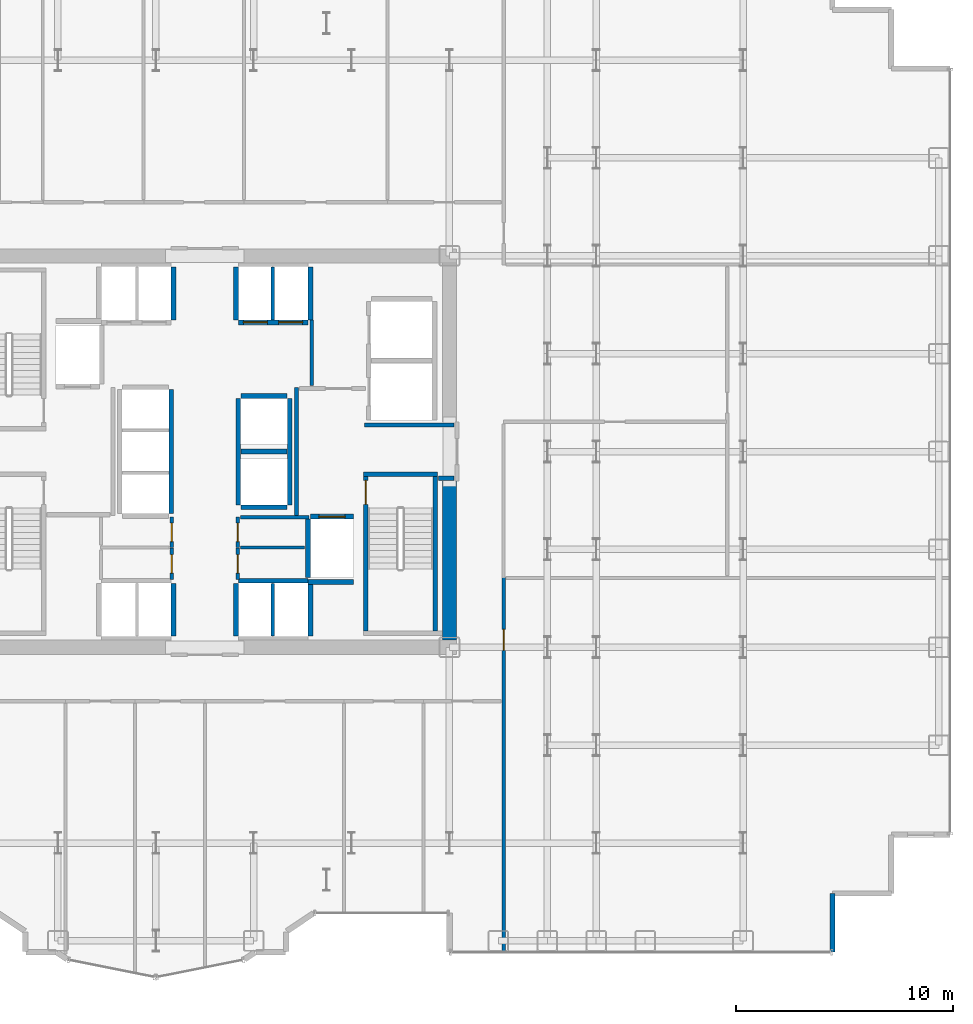
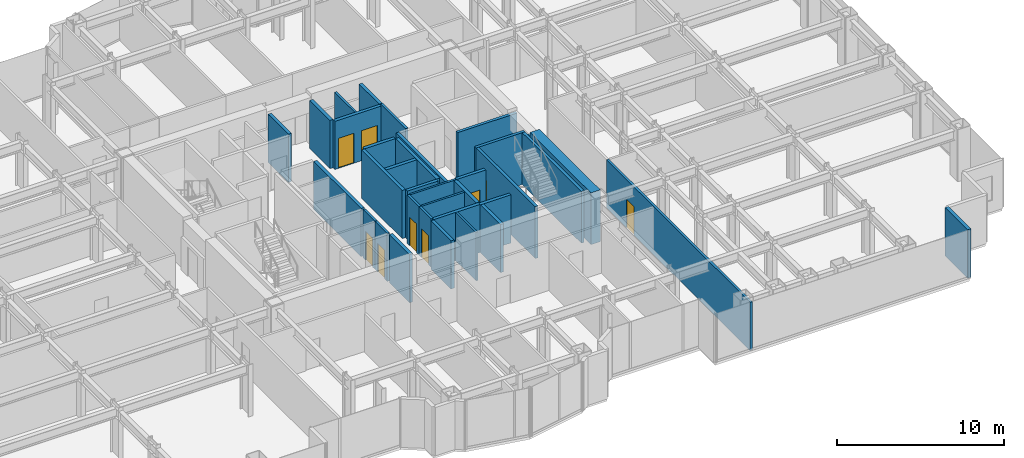
# One storey, part 22 of 25: 35 walls, 9 doors, 9 openings.
"""IFC4 building model written with IfcOpenShell, lengths in metres."""

from ifc_helpers import new_model, si_unit, direction, frame, frame_2d, origin, place, context, subcontext, project, spatial, rectangle, extrude, source, transform, mapped, material, layer, layer_set, type_object, element, fill, save


model = new_model("IFC4")

# Units and contexts
model_context = context("Model", 3, precision=1e-05, world=origin(), true_north=direction((0.0, 1.0)))
body_context = subcontext(model_context, "Body", "Model", "MODEL_VIEW")
ifc_project = project(units=[si_unit("LENGTHUNIT", "METRE"), si_unit("AREAUNIT", "SQUARE_METRE"), si_unit("VOLUMEUNIT", "CUBIC_METRE"), si_unit("PLANEANGLEUNIT", "RADIAN"), si_unit("MASSUNIT", "GRAM", prefix="KILO")], contexts=[model_context])

# Site, building, storey
site_placement = place(None, origin())
site = spatial("IfcSite", under=ifc_project, at=site_placement, CompositionType="ELEMENT")
building_placement = place(site_placement, origin())
building = spatial("IfcBuilding", under=site, at=building_placement, Name="Nefas-Gora Pilgrimage Tower", CompositionType="ELEMENT")
storey_placement = place(building_placement, frame((0.0, 0.0, 71.0)))
storey = spatial("IfcBuildingStorey", under=building, at=storey_placement, Name="L16", CompositionType="ELEMENT", Elevation=71.0)

# Walls
ifc_material_1 = material(Name="Concrete C60/75", Category="concrete")
ifc_layer_1 = layer(ifc_material_1, 0.64990234375)
ifc_layer_set_1 = layer_set([ifc_layer_1], Name="Concrete C60/75")
wall_type_1 = type_object("IfcWallType", Name="SW-CORE-650", PredefinedType="SHEAR", material=ifc_layer_set_1)
shared_shape_1 = source(origin(), body_context, "Body", "SweptSolid", [
    extrude(rectangle(XDim=7.324951171875, YDim=0.64990234375, at=frame_2d((3.66259765625, 0.0))), origin(), (0.0, 0.0, 1.0), 3.800048828125),
])
wall_1_placement = place(storey_placement, frame((11.25, -8.675048828125, 0.0), z_axis=(0.0, 0.0, 1.0), x_axis=(0.0, 1.0, 0.0)))
element("IfcWall", 1, at=wall_1_placement, inside=storey, type_object=wall_type_1, Name="L16 Core Shear Wall E-South", PredefinedType="SHEAR", context=body_context, shape_type="MappedRepresentation", body=[
    mapped(shared_shape_1, transform((0.0, 0.0, 0.0), x_axis=(1.0, 0.0, 0.0), y_axis=(0.0, 1.0, 0.0), z_axis=(0.0, 0.0, 1.0), scale=1.0)),
])
ifc_material_2 = material(Name="Precast concrete C45/55", Category="concrete")
ifc_layer_2 = layer(ifc_material_2, 0.239990234375)
ifc_layer_set_2 = layer_set([ifc_layer_2], Name="Precast concrete C45/55")
wall_type_2 = type_object("IfcWallType", Name="EW-SERR-240", PredefinedType="SHEAR", material=ifc_layer_set_2)
shared_shape_2 = source(origin(), body_context, "Body", "SweptSolid", [
    extrude(rectangle(XDim=2.699951171875, YDim=0.239990234375, at=frame_2d((1.35009765625, 0.0))), origin(), (0.0, 0.0, 1.0), 3.550048828125),
])
wall_2_placement = place(storey_placement, frame((28.8701171875, -23.02001953125, 0.0), z_axis=(0.0, 0.0, 1.0), x_axis=(0.0, 1.0, 0.0)))
element("IfcWall", 2, at=wall_2_placement, inside=storey, type_object=wall_type_2, Name="L16 Serrated Corner Shear Pier Wall 2", PredefinedType="SHEAR", context=body_context, shape_type="MappedRepresentation", body=[
    mapped(shared_shape_2, transform((0.0, 0.0, 0.0), x_axis=(1.0, 0.0, 0.0), y_axis=(0.0, 1.0, 0.0), z_axis=(0.0, 0.0, 1.0), scale=1.0)),
])
ifc_material_3 = material(Name="Concrete C45/55", Category="concrete")
ifc_layer_3 = layer(ifc_material_3, 0.199951171875)
ifc_layer_set_3 = layer_set([ifc_layer_3], Name="Concrete C45/55")
wall_type_3 = type_object("IfcWallType", Name="IW-STAIR-200", PredefinedType="SOLIDWALL", material=ifc_layer_set_3)
shared_shape_3 = source(origin(), body_context, "Body", "SweptSolid", [
    extrude(rectangle(XDim=3.39990234375, YDim=0.199951171875, at=frame_2d((1.699951171875, 0.0))), origin(), (0.0, 0.0, 1.0), 3.800048828125),
])
wall_3_placement = place(storey_placement, frame((7.300048828125, -1.050048828125, 0.0), z_axis=(0.0, 0.0, 1.0), x_axis=(1.0, 0.0, 0.0)))
element("IfcWall", 3, at=wall_3_placement, inside=storey, type_object=wall_type_3, Name="L16 Stairwell Shear Wall ST-02-near", PredefinedType="SOLIDWALL", context=body_context, shape_type="MappedRepresentation", body=[
    mapped(shared_shape_3, transform((0.0, 0.0, 0.0), x_axis=(1.0, 0.0, 0.0), y_axis=(0.0, 1.0, 0.0), z_axis=(0.0, 0.0, 1.0), scale=1.0)),
])

# Wall, opening, door
shared_shape_4 = source(origin(), body_context, "Body", "SweptSolid", [
    extrude(rectangle(XDim=7.10009765625, YDim=0.199951171875, at=frame_2d((3.550048828125, 0.0))), origin(), (0.0, 0.0, 1.0), 3.800048828125),
])
wall_4_placement = place(storey_placement, frame((7.39990234375, -1.14990234375, 0.0), z_axis=(0.0, 0.0, 1.0), x_axis=(0.0, -1.0, 0.0)))
wall_4 = element("IfcWall", 4, at=wall_4_placement, inside=storey, type_object=wall_type_3, Name="L16 Stairwell Shear Wall ST-02-left", PredefinedType="SOLIDWALL", context=body_context, shape_type="MappedRepresentation", body=[
    mapped(shared_shape_4, transform((0.0, 0.0, 0.0), x_axis=(1.0, 0.0, 0.0), y_axis=(0.0, 1.0, 0.0), z_axis=(0.0, 0.0, 1.0), scale=1.0)),
])
opening_1_placement = place(wall_4_placement, frame((0.179931640625, 0.0, 0.0)))
opening_1 = element("IfcOpeningElement", 5, at=opening_1_placement, cuts=wall_4, Name="Opening ID-ST1", PredefinedType="OPENING", context=body_context, shape_type="SweptSolid", body=[
    extrude(rectangle(XDim=1.10009765625, YDim=2.14990234375, at=frame_2d((0.550048828125, 1.074951171875))), frame((0.0, 0.10986328125, 0.0), z_axis=(0.0, -1.0, 0.0), x_axis=(1.0, 0.0, 0.0)), (0.0, 0.0, 1.0), 0.219970703125),
])
ifc_material_4 = material(Name="Painted galvanised steel fire stair door", Category="steel")
door_type_1 = type_object("IfcDoorType", Name="DR-INT-STAIR-1100", OperationType="NOTDEFINED", PredefinedType="DOOR", material=ifc_material_4)
shared_shape_5 = source(origin(), body_context, "Body", "SweptSolid", [
    extrude(rectangle(XDim=1.10009765625, YDim=2.14990234375, at=frame_2d((0.550048828125, 1.074951171875))), frame((0.0, 0.02490234375, 0.0), z_axis=(0.0, -1.0, 0.0), x_axis=(1.0, 0.0, 0.0)), (0.0, 0.0, 1.0), 0.050048828125),
])
door_1_placement = place(opening_1_placement, origin())
door_1 = element("IfcDoor", 6, at=door_1_placement, inside=storey, type_object=door_type_1, Name="L16 Protected Exit Stair Door ST-02", OperationType="SINGLE_SWING_LEFT", OverallHeight=2.14990234375, OverallWidth=1.10009765625, PredefinedType="DOOR", context=body_context, shape_type="MappedRepresentation", body=[
    mapped(shared_shape_5, transform((0.0, 0.0, 0.0), x_axis=(1.0, 0.0, 0.0), y_axis=(0.0, 1.0, 0.0), z_axis=(0.0, 0.0, 1.0), scale=1.0)),
])
fill(opening_1, door_1)

# Wall
wall_5_placement = place(storey_placement, frame((10.60009765625, -1.14990234375, 0.0), z_axis=(0.0, 0.0, 1.0), x_axis=(0.0, -1.0, 0.0)))
element("IfcWall", 7, at=wall_5_placement, inside=storey, type_object=wall_type_3, Name="L16 Stairwell Shear Wall ST-02-right", PredefinedType="SOLIDWALL", context=body_context, shape_type="MappedRepresentation", body=[
    mapped(shared_shape_4, transform((0.0, 0.0, 0.0), x_axis=(1.0, 0.0, 0.0), y_axis=(0.0, 1.0, 0.0), z_axis=(0.0, 0.0, 1.0), scale=1.0)),
])

# Wall, opening, door
ifc_material_5 = material(Name="Concrete C40/50", Category="concrete")
ifc_layer_4 = layer(ifc_material_5, 0.219970703125)
ifc_layer_set_4 = layer_set([ifc_layer_4], Name="Concrete C40/50")
wall_type_4 = type_object("IfcWallType", Name="IW-SHAFT-220", PredefinedType="SOLIDWALL", material=ifc_layer_set_4)
shared_shape_6 = source(origin(), body_context, "Body", "SweptSolid", [
    extrude(rectangle(XDim=2.0, YDim=0.219970703125, at=frame_2d((1.0, 0.0))), origin(), (0.0, 0.0, 1.0), 3.534912109375),
])
wall_6_placement = place(storey_placement, frame((6.85009765625, -2.989990234375, 0.0), z_axis=(0.0, 0.0, 1.0), x_axis=(-1.0, 0.0, 0.0)))
wall_6 = element("IfcWall", 8, at=wall_6_placement, inside=storey, type_object=wall_type_4, Name="L16 Hoistway Wall FFL-02-N", PredefinedType="SOLIDWALL", context=body_context, shape_type="MappedRepresentation", body=[
    mapped(shared_shape_6, transform((0.0, 0.0, 0.0), x_axis=(1.0, 0.0, 0.0), y_axis=(0.0, 1.0, 0.0), z_axis=(0.0, 0.0, 1.0), scale=1.0)),
])
opening_2_placement = place(wall_6_placement, frame((0.39990234375, 0.0, 0.0)))
opening_2 = element("IfcOpeningElement", 9, at=opening_2_placement, cuts=wall_6, Name="Opening LD-FF", PredefinedType="OPENING", context=body_context, shape_type="SweptSolid", body=[
    extrude(rectangle(XDim=1.199951171875, YDim=2.199951171875, at=frame_2d((0.60009765625, 1.10009765625))), frame((0.0, 0.119873046875, 0.0), z_axis=(0.0, -1.0, 0.0), x_axis=(1.0, 0.0, 0.0)), (0.0, 0.0, 1.0), 0.239990234375),
])
ifc_material_6 = material(Name="Fire-service sliding lift landing door")
door_type_2 = type_object("IfcDoorType", Name="DR-LIFT-FSAE-1200", OperationType="SLIDING_TO_LEFT", PredefinedType="DOOR", material=ifc_material_6)
shared_shape_7 = source(origin(), body_context, "Body", "SweptSolid", [
    extrude(rectangle(XDim=1.199951171875, YDim=2.199951171875, at=frame_2d((0.60009765625, 1.10009765625))), frame((0.0, 0.02490234375, 0.0), z_axis=(0.0, -1.0, 0.0), x_axis=(1.0, 0.0, 0.0)), (0.0, 0.0, 1.0), 0.050048828125),
])
door_2_placement = place(opening_2_placement, origin())
door_2 = element("IfcDoor", 10, at=door_2_placement, inside=storey, type_object=door_type_2, Name="L16 Sliding Lift Landing Door FFL-02", OperationType="SLIDING_TO_LEFT", OverallHeight=2.199951171875, OverallWidth=1.199951171875, PredefinedType="DOOR", context=body_context, shape_type="MappedRepresentation", body=[
    mapped(shared_shape_7, transform((0.0, 0.0, 0.0), x_axis=(1.0, 0.0, 0.0), y_axis=(0.0, 1.0, 0.0), z_axis=(0.0, 0.0, 1.0), scale=1.0)),
])
fill(opening_2, door_2)

# Wall
shared_shape_8 = source(origin(), body_context, "Body", "SweptSolid", [
    extrude(rectangle(XDim=2.679931640625, YDim=0.219970703125, at=frame_2d((1.33984375, 0.0))), origin(), (0.0, 0.0, 1.0), 3.534912109375),
])
wall_7_placement = place(storey_placement, frame((4.739990234375, -3.110107421875, 0.0), z_axis=(0.0, 0.0, 1.0), x_axis=(0.0, -1.0, 0.0)))
element("IfcWall", 11, at=wall_7_placement, inside=storey, type_object=wall_type_4, Name="L16 Hoistway Wall FFL-02-W", PredefinedType="SOLIDWALL", context=body_context, shape_type="MappedRepresentation", body=[
    mapped(shared_shape_8, transform((0.0, 0.0, 0.0), x_axis=(1.0, 0.0, 0.0), y_axis=(0.0, 1.0, 0.0), z_axis=(0.0, 0.0, 1.0), scale=1.0)),
])

# Wall, openings, doors
shared_shape_9 = source(origin(), body_context, "Body", "SweptSolid", [
    extrude(rectangle(XDim=3.199951171875, YDim=0.219970703125, at=frame_2d((1.60009765625, 0.0))), origin(), (0.0, 0.0, 1.0), 3.534912109375),
])
wall_8_placement = place(storey_placement, frame((1.550048828125, 5.93994140625, 0.0), z_axis=(0.0, 0.0, 1.0), x_axis=(1.0, 0.0, 0.0)))
wall_8 = element("IfcWall", 12, at=wall_8_placement, inside=storey, type_object=wall_type_4, Name="L16 Hoistway Wall PL1-E-S", PredefinedType="SOLIDWALL", context=body_context, shape_type="MappedRepresentation", body=[
    mapped(shared_shape_9, transform((0.0, 0.0, 0.0), x_axis=(1.0, 0.0, 0.0), y_axis=(0.0, 1.0, 0.0), z_axis=(0.0, 0.0, 1.0), scale=1.0)),
])
opening_3_placement = place(wall_8_placement, frame((0.22509765625, 0.0, 0.0)))
opening_3 = element("IfcOpeningElement", 13, at=opening_3_placement, cuts=wall_8, Name="Opening LD-01", PredefinedType="OPENING", context=body_context, shape_type="SweptSolid", body=[
    extrude(rectangle(XDim=1.10009765625, YDim=2.199951171875, at=frame_2d((0.550048828125, 1.10009765625))), frame((0.0, 0.119873046875, 0.0), z_axis=(0.0, -1.0, 0.0), x_axis=(1.0, 0.0, 0.0)), (0.0, 0.0, 1.0), 0.239990234375),
])
opening_4_placement = place(wall_8_placement, frame((1.85009765625, 0.0, 0.0)))
opening_4 = element("IfcOpeningElement", 14, at=opening_4_placement, cuts=wall_8, Name="Opening LD-01", PredefinedType="OPENING", context=body_context, shape_type="SweptSolid", body=[
    extrude(rectangle(XDim=1.10009765625, YDim=2.199951171875, at=frame_2d((0.550048828125, 1.10009765625))), frame((0.0, 0.119873046875, 0.0), z_axis=(0.0, -1.0, 0.0), x_axis=(1.0, 0.0, 0.0)), (0.0, 0.0, 1.0), 0.239990234375),
])
ifc_material_7 = material(Name="Brushed stainless sliding lift landing door")
door_type_3 = type_object("IfcDoorType", Name="DR-LIFT-PASS-1100", OperationType="DOUBLE_DOOR_SLIDING", PredefinedType="DOOR", material=ifc_material_7)
shared_shape_10 = source(origin(), body_context, "Body", "SweptSolid", [
    extrude(rectangle(XDim=1.10009765625, YDim=2.199951171875, at=frame_2d((0.550048828125, 1.10009765625))), frame((0.0, 0.02490234375, 0.0), z_axis=(0.0, -1.0, 0.0), x_axis=(1.0, 0.0, 0.0)), (0.0, 0.0, 1.0), 0.050048828125),
])
door_3_placement = place(opening_3_placement, origin())
door_3 = element("IfcDoor", 15, at=door_3_placement, inside=storey, type_object=door_type_3, Name="L16 Sliding Lift Landing Door PL1-03", OperationType="DOUBLE_DOOR_SLIDING", OverallHeight=2.199951171875, OverallWidth=1.10009765625, PredefinedType="DOOR", context=body_context, shape_type="MappedRepresentation", body=[
    mapped(shared_shape_10, transform((0.0, 0.0, 0.0), x_axis=(1.0, 0.0, 0.0), y_axis=(0.0, 1.0, 0.0), z_axis=(0.0, 0.0, 1.0), scale=1.0)),
])
fill(opening_3, door_3)
door_4_placement = place(opening_4_placement, origin())
door_4 = element("IfcDoor", 16, at=door_4_placement, inside=storey, type_object=door_type_3, Name="L16 Sliding Lift Landing Door PL1-04", OperationType="DOUBLE_DOOR_SLIDING", OverallHeight=2.199951171875, OverallWidth=1.10009765625, PredefinedType="DOOR", context=body_context, shape_type="MappedRepresentation", body=[
    mapped(shared_shape_10, transform((0.0, 0.0, 0.0), x_axis=(1.0, 0.0, 0.0), y_axis=(0.0, 1.0, 0.0), z_axis=(0.0, 0.0, 1.0), scale=1.0)),
])
fill(opening_4, door_4)

# Walls
wall_9_placement = place(storey_placement, frame((4.75, -5.93994140625, 0.0), z_axis=(0.0, 0.0, 1.0), x_axis=(-1.0, 0.0, 0.0)))
element("IfcWall", 17, at=wall_9_placement, inside=storey, type_object=wall_type_4, Name="L16 Hoistway Wall PL2-E-N", PredefinedType="SOLIDWALL", context=body_context, shape_type="MappedRepresentation", body=[
    mapped(shared_shape_9, transform((0.0, 0.0, 0.0), x_axis=(1.0, 0.0, 0.0), y_axis=(0.0, 1.0, 0.0), z_axis=(0.0, 0.0, 1.0), scale=1.0)),
])
shared_shape_11 = source(origin(), body_context, "Body", "SweptSolid", [
    extrude(rectangle(XDim=2.429931640625, YDim=0.219970703125, at=frame_2d((1.21484375, 0.0))), origin(), (0.0, 0.0, 1.0), 3.534912109375),
])
for number, where, z_axis, x_axis, name in (
    (18, (-1.43994140625, 6.06005859375, 0.0), (0.0, 0.0, 1.0), (0.0, 1.0, 0.0), "L16 Hoistway Wall PL1-W-E"),
    (19, (1.43994140625, 8.489990234375, 0.0), (0.0, 0.0, 1.0), (0.0, -1.0, 0.0), "L16 Hoistway Wall PL1-E-W"),
    (20, (4.860107421875, 6.06005859375, 0.0), (0.0, 0.0, 1.0), (0.0, 1.0, 0.0), "L16 Hoistway Wall PL1-E-E"),
    (21, (-1.43994140625, -8.489990234375, 0.0), (0.0, 0.0, 1.0), (0.0, 1.0, 0.0), "L16 Hoistway Wall PL2-W-E"),
    (22, (1.43994140625, -6.06005859375, 0.0), (0.0, 0.0, 1.0), (0.0, -1.0, 0.0), "L16 Hoistway Wall PL2-E-W"),
    (23, (4.860107421875, -8.489990234375, 0.0), (0.0, 0.0, 1.0), (0.0, 1.0, 0.0), "L16 Hoistway Wall PL2-E-E"),
):
    element("IfcWall", number, at=place(storey_placement, frame(where, z_axis=z_axis, x_axis=x_axis)), inside=storey, type_object=wall_type_4, Name=name, PredefinedType="SOLIDWALL", context=body_context, shape_type="MappedRepresentation", body=[
        mapped(shared_shape_11, transform((0.0, 0.0, 0.0), x_axis=(1.0, 0.0, 0.0), y_axis=(0.0, 1.0, 0.0), z_axis=(0.0, 0.0, 1.0), scale=1.0)),
    ])
ifc_material_8 = material(Name="Gypsum twin-stud partition")
ifc_layer_5 = layer(ifc_material_8, 0.139892578125)
ifc_layer_set_5 = layer_set([ifc_layer_5], Name="Gypsum twin-stud partition")
wall_type_5 = type_object("IfcWallType", Name="IW-UNIT-140", PredefinedType="PARTITIONING", material=ifc_layer_set_5)
shared_shape_12 = source(origin(), body_context, "Body", "SweptSolid", [
    extrude(rectangle(XDim=2.429931640625, YDim=0.139892578125, at=frame_2d((1.21484375, 0.0))), origin(), (0.0, 0.0, 1.0), 3.534912109375),
])
for number, where, z_axis, x_axis, name in (
    (24, (3.125, 6.06005859375, 0.0), (0.0, 0.0, 1.0), (0.0, 1.0, 0.0), "L16 Hoistway Wall PL1-E-DIV"),
    (25, (3.125, -8.489990234375, 0.0), (0.0, 0.0, 1.0), (0.0, 1.0, 0.0), "L16 Hoistway Wall PL2-E-DIV"),
):
    element("IfcWall", number, at=place(storey_placement, frame(where, z_axis=z_axis, x_axis=x_axis)), inside=storey, type_object=wall_type_5, Name=name, PredefinedType="PARTITIONING", context=body_context, shape_type="MappedRepresentation", body=[
        mapped(shared_shape_12, transform((0.0, 0.0, 0.0), x_axis=(1.0, 0.0, 0.0), y_axis=(0.0, 1.0, 0.0), z_axis=(0.0, 0.0, 1.0), scale=1.0)),
    ])
shared_shape_13 = source(origin(), body_context, "Body", "SweptSolid", [
    extrude(rectangle(XDim=5.7001953125, YDim=0.219970703125, at=frame_2d((2.85009765625, 0.0))), origin(), (0.0, 0.0, 1.0), 3.534912109375),
])
wall_10_placement = place(storey_placement, frame((-1.5400390625, -2.85009765625, 0.0), z_axis=(0.0, 0.0, 1.0), x_axis=(0.0, 1.0, 0.0)))
element("IfcWall", 26, at=wall_10_placement, inside=storey, type_object=wall_type_4, Name="L16 Hoistway Wall PL3-01-03-E", PredefinedType="SOLIDWALL", context=body_context, shape_type="MappedRepresentation", body=[
    mapped(shared_shape_13, transform((0.0, 0.0, 0.0), x_axis=(1.0, 0.0, 0.0), y_axis=(0.0, 1.0, 0.0), z_axis=(0.0, 0.0, 1.0), scale=1.0)),
])
shared_shape_14 = source(origin(), body_context, "Body", "SweptSolid", [
    extrude(rectangle(XDim=2.130126953125, YDim=0.219970703125, at=frame_2d((1.06494140625, 0.0))), origin(), (0.0, 0.0, 1.0), 3.534912109375),
])
for number, where, z_axis, x_axis, name in (
    (27, (1.659912109375, -2.56005859375, 0.0), (0.0, 0.0, 1.0), (1.0, 0.0, 0.0), "L16 Hoistway Wall OBS-01-S"),
    (28, (1.659912109375, 0.0, 0.0), (0.0, 0.0, 1.0), (1.0, 0.0, 0.0), "L16 Hoistway Wall OBS-01-02-DIV"),
    (29, (3.7900390625, 2.56005859375, 0.0), (0.0, 0.0, 1.0), (-1.0, 0.0, 0.0), "L16 Hoistway Wall OBS-02-N"),
):
    element("IfcWall", number, at=place(storey_placement, frame(where, z_axis=z_axis, x_axis=x_axis)), inside=storey, type_object=wall_type_4, Name=name, PredefinedType="SOLIDWALL", context=body_context, shape_type="MappedRepresentation", body=[
        mapped(shared_shape_14, transform((0.0, 0.0, 0.0), x_axis=(1.0, 0.0, 0.0), y_axis=(0.0, 1.0, 0.0), z_axis=(0.0, 0.0, 1.0), scale=1.0)),
    ])
shared_shape_15 = source(origin(), body_context, "Body", "SweptSolid", [
    extrude(rectangle(XDim=4.89990234375, YDim=0.219970703125, at=frame_2d((2.449951171875, 0.0))), origin(), (0.0, 0.0, 1.0), 3.534912109375),
])
for number, where, z_axis, x_axis, name in (
    (30, (1.5400390625, 2.449951171875, 0.0), (0.0, 0.0, 1.0), (0.0, -1.0, 0.0), "L16 Hoistway Wall OBS-01-02-W"),
    (31, (3.909912109375, -2.449951171875, 0.0), (0.0, 0.0, 1.0), (0.0, 1.0, 0.0), "L16 Hoistway Wall OBS-01-02-E"),
):
    element("IfcWall", number, at=place(storey_placement, frame(where, z_axis=z_axis, x_axis=x_axis)), inside=storey, type_object=wall_type_4, Name=name, PredefinedType="SOLIDWALL", context=body_context, shape_type="MappedRepresentation", body=[
        mapped(shared_shape_15, transform((0.0, 0.0, 0.0), x_axis=(1.0, 0.0, 0.0), y_axis=(0.0, 1.0, 0.0), z_axis=(0.0, 0.0, 1.0), scale=1.0)),
    ])
shared_shape_16 = source(origin(), body_context, "Body", "SweptSolid", [
    extrude(rectangle(XDim=2.09521484375, YDim=0.219970703125, at=frame_2d((1.047607421875, 0.0))), origin(), (0.0, 0.0, 1.0), 3.534912109375),
])
wall_11_placement = place(storey_placement, frame((4.7548828125, -6.0, 0.0), z_axis=(0.0, 0.0, 1.0), x_axis=(1.0, 0.0, 0.0)))
element("IfcWall", 32, at=wall_11_placement, inside=storey, type_object=wall_type_4, Name="L16 Riser Shaft Wall 2", PredefinedType="SOLIDWALL", context=body_context, shape_type="MappedRepresentation", body=[
    mapped(shared_shape_16, transform((0.0, 0.0, 0.0), x_axis=(1.0, 0.0, 0.0), y_axis=(0.0, 1.0, 0.0), z_axis=(0.0, 0.0, 1.0), scale=1.0)),
])
ifc_material_9 = material(Name="Gypsum fire-rated shaftwall")
ifc_layer_6 = layer(ifc_material_9, 0.199951171875)
ifc_layer_set_6 = layer_set([ifc_layer_6], Name="Gypsum fire-rated shaftwall")
wall_type_6 = type_object("IfcWallType", Name="IW-FFLOB-200", PredefinedType="PARTITIONING", material=ifc_layer_set_6)
shared_shape_17 = source(origin(), body_context, "Body", "SweptSolid", [
    extrude(rectangle(XDim=5.89990234375, YDim=0.199951171875, at=frame_2d((2.949951171875, 0.0))), origin(), (0.0, 0.0, 1.0), 3.534912109375),
])
wall_12_placement = place(storey_placement, frame((4.219970703125, -2.949951171875, 0.0), z_axis=(0.0, 0.0, 1.0), x_axis=(0.0, 1.0, 0.0)))
element("IfcWall", 33, at=wall_12_placement, inside=storey, type_object=wall_type_6, Name="L16 FF Lobby East Inner Wall Wall 9", PredefinedType="PARTITIONING", context=body_context, shape_type="MappedRepresentation", body=[
    mapped(shared_shape_17, transform((0.0, 0.0, 0.0), x_axis=(1.0, 0.0, 0.0), y_axis=(0.0, 1.0, 0.0), z_axis=(0.0, 0.0, 1.0), scale=1.0)),
])
shared_shape_18 = source(origin(), body_context, "Body", "SweptSolid", [
    extrude(rectangle(XDim=0.719970703125, YDim=0.199951171875, at=frame_2d((0.35986328125, 0.0))), origin(), (0.0, 0.0, 1.0), 3.534912109375),
])
wall_13_placement = place(storey_placement, frame((10.739990234375, -1.219970703125, 0.0), z_axis=(0.0, 0.0, 1.0), x_axis=(1.0, 0.0, 0.0)))
element("IfcWall", 34, at=wall_13_placement, inside=storey, type_object=wall_type_6, Name="L16 FF Lobby East Throat S Wall 12", PredefinedType="PARTITIONING", context=body_context, shape_type="MappedRepresentation", body=[
    mapped(shared_shape_18, transform((0.0, 0.0, 0.0), x_axis=(1.0, 0.0, 0.0), y_axis=(0.0, 1.0, 0.0), z_axis=(0.0, 0.0, 1.0), scale=1.0)),
])
shared_shape_19 = source(origin(), body_context, "Body", "SweptSolid", [
    extrude(rectangle(XDim=4.10986328125, YDim=0.199951171875, at=frame_2d((2.054931640625, 0.0))), origin(), (0.0, 0.0, 1.0), 3.534912109375),
])
wall_14_placement = place(storey_placement, frame((7.35009765625, 1.219970703125, 0.0), z_axis=(0.0, 0.0, 1.0), x_axis=(1.0, 0.0, 0.0)))
element("IfcWall", 35, at=wall_14_placement, inside=storey, type_object=wall_type_6, Name="L16 FF Lobby East Throat N Wall 11", PredefinedType="PARTITIONING", context=body_context, shape_type="MappedRepresentation", body=[
    mapped(shared_shape_19, transform((0.0, 0.0, 0.0), x_axis=(1.0, 0.0, 0.0), y_axis=(0.0, 1.0, 0.0), z_axis=(0.0, 0.0, 1.0), scale=1.0)),
])
ifc_material_10 = material(Name="Gypsum acoustic stud partition")
ifc_layer_7 = layer(ifc_material_10, 0.159912109375)
ifc_layer_set_7 = layer_set([ifc_layer_7], Name="Gypsum acoustic stud partition")
wall_type_7 = type_object("IfcWallType", Name="IW-CORR-160", PredefinedType="PARTITIONING", material=ifc_layer_set_7)
shared_shape_20 = source(origin(), body_context, "Body", "SweptSolid", [
    extrude(rectangle(XDim=3.014892578125, YDim=0.159912109375, at=frame_2d((1.50732421875, 0.0))), origin(), (0.0, 0.0, 1.0), 3.534912109375),
])
wall_15_placement = place(storey_placement, frame((4.919921875, 3.0400390625, 0.0), z_axis=(0.0, 0.0, 1.0), x_axis=(0.0, 1.0, 0.0)))
element("IfcWall", 36, at=wall_15_placement, inside=storey, type_object=wall_type_7, Name="L16 Service Lift Lobby West Wall Wall 15", PredefinedType="PARTITIONING", context=body_context, shape_type="MappedRepresentation", body=[
    mapped(shared_shape_20, transform((0.0, 0.0, 0.0), x_axis=(1.0, 0.0, 0.0), y_axis=(0.0, 1.0, 0.0), z_axis=(0.0, 0.0, 1.0), scale=1.0)),
])
shared_shape_21 = source(origin(), body_context, "Body", "SweptSolid", [
    extrude(rectangle(XDim=2.9501953125, YDim=0.139892578125, at=frame_2d((1.47509765625, 0.0))), origin(), (0.0, 0.0, 1.0), 3.534912109375),
])
wall_16_placement = place(storey_placement, frame((1.639892578125, -4.409912109375, 0.0), z_axis=(0.0, 0.0, 1.0), x_axis=(1.0, 0.0, 0.0)))
element("IfcWall", 37, at=wall_16_placement, inside=storey, type_object=wall_type_5, Name="L16 Clean Blanket and Robe Store Partition Wall 23", PredefinedType="PARTITIONING", context=body_context, shape_type="MappedRepresentation", body=[
    mapped(shared_shape_21, transform((0.0, 0.0, 0.0), x_axis=(1.0, 0.0, 0.0), y_axis=(0.0, 1.0, 0.0), z_axis=(0.0, 0.0, 1.0), scale=1.0)),
])

# Wall, opening, door
shared_shape_22 = source(origin(), body_context, "Body", "SweptSolid", [
    extrude(rectangle(XDim=1.409912109375, YDim=0.159912109375, at=frame_2d((0.705078125, 0.0))), origin(), (0.0, 0.0, 1.0), 3.534912109375),
])
wall_17_placement = place(storey_placement, frame((-1.52001953125, -4.419921875, 0.0), z_axis=(0.0, 0.0, 1.0), x_axis=(0.0, 1.0, 0.0)))
wall_17 = element("IfcWall", 38, at=wall_17_placement, inside=storey, type_object=wall_type_7, Name="L16 Housekeeping and Linen Store Wall 16", PredefinedType="PARTITIONING", context=body_context, shape_type="MappedRepresentation", body=[
    mapped(shared_shape_22, transform((0.0, 0.0, 0.0), x_axis=(1.0, 0.0, 0.0), y_axis=(0.0, 1.0, 0.0), z_axis=(0.0, 0.0, 1.0), scale=1.0)),
])
opening_5_placement = place(wall_17_placement, frame((0.280029296875, 0.0, 0.0)))
opening_5 = element("IfcOpeningElement", 39, at=opening_5_placement, cuts=wall_17, Name="Opening ID-BT1", PredefinedType="OPENING", context=body_context, shape_type="SweptSolid", body=[
    extrude(rectangle(XDim=0.85009765625, YDim=2.10009765625, at=frame_2d((0.425048828125, 1.050048828125))), frame((0.0, 0.08984375, 0.0), z_axis=(0.0, -1.0, 0.0), x_axis=(1.0, 0.0, 0.0)), (0.0, 0.0, 1.0), 0.179931640625),
])
ifc_material_11 = material(Name="Moisture-resistant fire-rated timber door", Category="wood")
door_type_4 = type_object("IfcDoorType", Name="DR-INT-BATH-850", OperationType="NOTDEFINED", PredefinedType="DOOR", material=ifc_material_11)
shared_shape_23 = source(origin(), body_context, "Body", "SweptSolid", [
    extrude(rectangle(XDim=0.85009765625, YDim=2.10009765625, at=frame_2d((0.425048828125, 1.050048828125))), frame((0.0, 0.02490234375, 0.0), z_axis=(0.0, -1.0, 0.0), x_axis=(1.0, 0.0, 0.0)), (0.0, 0.0, 1.0), 0.050048828125),
])
door_5_placement = place(opening_5_placement, origin())
door_5 = element("IfcDoor", 40, at=door_5_placement, inside=storey, type_object=door_type_4, Name="L16 Housekeeping and Linen Store Door 6", OperationType="SINGLE_SWING_LEFT", OverallHeight=2.10009765625, OverallWidth=0.85009765625, PredefinedType="DOOR", context=body_context, shape_type="MappedRepresentation", body=[
    mapped(shared_shape_23, transform((0.0, 0.0, 0.0), x_axis=(1.0, 0.0, 0.0), y_axis=(0.0, 1.0, 0.0), z_axis=(0.0, 0.0, 1.0), scale=1.0)),
])
fill(opening_5, door_5)

wall_18_placement = place(storey_placement, frame((1.52001953125, -4.419921875, 0.0), z_axis=(0.0, 0.0, 1.0), x_axis=(0.0, 1.0, 0.0)))
wall_18 = element("IfcWall", 41, at=wall_18_placement, inside=storey, type_object=wall_type_7, Name="L16 Clean Blanket and Robe Store Wall 21", PredefinedType="PARTITIONING", context=body_context, shape_type="MappedRepresentation", body=[
    mapped(shared_shape_22, transform((0.0, 0.0, 0.0), x_axis=(1.0, 0.0, 0.0), y_axis=(0.0, 1.0, 0.0), z_axis=(0.0, 0.0, 1.0), scale=1.0)),
])
opening_6_placement = place(wall_18_placement, frame((0.280029296875, 0.0, 0.0)))
opening_6 = element("IfcOpeningElement", 42, at=opening_6_placement, cuts=wall_18, Name="Opening ID-BT1", PredefinedType="OPENING", context=body_context, shape_type="SweptSolid", body=[
    extrude(rectangle(XDim=0.85009765625, YDim=2.10009765625, at=frame_2d((0.425048828125, 1.050048828125))), frame((0.0, 0.08984375, 0.0), z_axis=(0.0, -1.0, 0.0), x_axis=(1.0, 0.0, 0.0)), (0.0, 0.0, 1.0), 0.179931640625),
])
door_6_placement = place(opening_6_placement, origin())
door_6 = element("IfcDoor", 43, at=door_6_placement, inside=storey, type_object=door_type_4, Name="L16 Clean Blanket and Robe Store Door 8", OperationType="SINGLE_SWING_LEFT", OverallHeight=2.10009765625, OverallWidth=0.85009765625, PredefinedType="DOOR", context=body_context, shape_type="MappedRepresentation", body=[
    mapped(shared_shape_23, transform((0.0, 0.0, 0.0), x_axis=(1.0, 0.0, 0.0), y_axis=(0.0, 1.0, 0.0), z_axis=(0.0, 0.0, 1.0), scale=1.0)),
])
fill(opening_6, door_6)

# Wall
shared_shape_24 = source(origin(), body_context, "Body", "SweptSolid", [
    extrude(rectangle(XDim=3.150146484375, YDim=0.139892578125, at=frame_2d((1.5751953125, 0.0))), origin(), (0.0, 0.0, 1.0), 3.534912109375),
])
wall_19_placement = place(storey_placement, frame((1.639892578125, -3.02001953125, 0.0), z_axis=(0.0, 0.0, 1.0), x_axis=(1.0, 0.0, 0.0)))
element("IfcWall", 44, at=wall_19_placement, inside=storey, type_object=wall_type_5, Name="L16 Clean Blanket and Robe Store Partition Wall 22", PredefinedType="PARTITIONING", context=body_context, shape_type="MappedRepresentation", body=[
    mapped(shared_shape_24, transform((0.0, 0.0, 0.0), x_axis=(1.0, 0.0, 0.0), y_axis=(0.0, 1.0, 0.0), z_axis=(0.0, 0.0, 1.0), scale=1.0)),
])

# Wall, opening, door
shared_shape_25 = source(origin(), body_context, "Body", "SweptSolid", [
    extrude(rectangle(XDim=1.449951171875, YDim=0.159912109375, at=frame_2d((0.72509765625, 0.0))), origin(), (0.0, 0.0, 1.0), 3.534912109375),
])
wall_20_placement = place(storey_placement, frame((-1.52001953125, -5.889892578125, 0.0), z_axis=(0.0, 0.0, 1.0), x_axis=(0.0, 1.0, 0.0)))
wall_20 = element("IfcWall", 45, at=wall_20_placement, inside=storey, type_object=wall_type_7, Name="L16 Guest Self-Service Laundry Room Wall 19", PredefinedType="PARTITIONING", context=body_context, shape_type="MappedRepresentation", body=[
    mapped(shared_shape_25, transform((0.0, 0.0, 0.0), x_axis=(1.0, 0.0, 0.0), y_axis=(0.0, 1.0, 0.0), z_axis=(0.0, 0.0, 1.0), scale=1.0)),
])
opening_7_placement = place(wall_20_placement, frame((0.300048828125, 0.0, 0.0)))
opening_7 = element("IfcOpeningElement", 46, at=opening_7_placement, cuts=wall_20, Name="Opening ID-BT1", PredefinedType="OPENING", context=body_context, shape_type="SweptSolid", body=[
    extrude(rectangle(XDim=0.85009765625, YDim=2.10009765625, at=frame_2d((0.425048828125, 1.050048828125))), frame((0.0, 0.08984375, 0.0), z_axis=(0.0, -1.0, 0.0), x_axis=(1.0, 0.0, 0.0)), (0.0, 0.0, 1.0), 0.179931640625),
])
door_7_placement = place(opening_7_placement, origin())
door_7 = element("IfcDoor", 47, at=door_7_placement, inside=storey, type_object=door_type_4, Name="L16 Guest Self-Service Laundry Room Door 7", OperationType="SINGLE_SWING_RIGHT", OverallHeight=2.10009765625, OverallWidth=0.85009765625, PredefinedType="DOOR", context=body_context, shape_type="MappedRepresentation", body=[
    mapped(shared_shape_23, transform((0.0, 0.0, 0.0), x_axis=(1.0, 0.0, 0.0), y_axis=(0.0, 1.0, 0.0), z_axis=(0.0, 0.0, 1.0), scale=1.0)),
])
fill(opening_7, door_7)

wall_21_placement = place(storey_placement, frame((1.52001953125, -5.889892578125, 0.0), z_axis=(0.0, 0.0, 1.0), x_axis=(0.0, 1.0, 0.0)))
wall_21 = element("IfcWall", 48, at=wall_21_placement, inside=storey, type_object=wall_type_7, Name="L16 Core Amenity Supply Store Wall 24", PredefinedType="PARTITIONING", context=body_context, shape_type="MappedRepresentation", body=[
    mapped(shared_shape_25, transform((0.0, 0.0, 0.0), x_axis=(1.0, 0.0, 0.0), y_axis=(0.0, 1.0, 0.0), z_axis=(0.0, 0.0, 1.0), scale=1.0)),
])
opening_8_placement = place(wall_21_placement, frame((0.300048828125, 0.0, 0.0)))
opening_8 = element("IfcOpeningElement", 49, at=opening_8_placement, cuts=wall_21, Name="Opening ID-BT1", PredefinedType="OPENING", context=body_context, shape_type="SweptSolid", body=[
    extrude(rectangle(XDim=0.85009765625, YDim=2.10009765625, at=frame_2d((0.425048828125, 1.050048828125))), frame((0.0, 0.08984375, 0.0), z_axis=(0.0, -1.0, 0.0), x_axis=(1.0, 0.0, 0.0)), (0.0, 0.0, 1.0), 0.179931640625),
])
door_8_placement = place(opening_8_placement, origin())
door_8 = element("IfcDoor", 50, at=door_8_placement, inside=storey, type_object=door_type_4, Name="L16 Core Amenity Supply Store Door 9", OperationType="SINGLE_SWING_RIGHT", OverallHeight=2.10009765625, OverallWidth=0.85009765625, PredefinedType="DOOR", context=body_context, shape_type="MappedRepresentation", body=[
    mapped(shared_shape_23, transform((0.0, 0.0, 0.0), x_axis=(1.0, 0.0, 0.0), y_axis=(0.0, 1.0, 0.0), z_axis=(0.0, 0.0, 1.0), scale=1.0)),
])
fill(opening_8, door_8)

shared_shape_26 = source(origin(), body_context, "Body", "SweptSolid", [
    extrude(rectangle(XDim=17.2451171875, YDim=0.159912109375, at=frame_2d((8.62255859375, 0.0))), origin(), (0.0, 0.0, 1.0), 3.534912109375),
])
wall_22_placement = place(storey_placement, frame((13.739990234375, -23.0400390625, 0.0), z_axis=(0.0, 0.0, 1.0), x_axis=(0.0, 1.0, 0.0)))
wall_22 = element("IfcWall", 51, at=wall_22_placement, inside=storey, type_object=wall_type_7, Name="L16 Pilgrim Contemplative Lounge Partition Wall 39", PredefinedType="PARTITIONING", context=body_context, shape_type="MappedRepresentation", body=[
    mapped(shared_shape_26, transform((0.0, 0.0, 0.0), x_axis=(1.0, 0.0, 0.0), y_axis=(0.0, 1.0, 0.0), z_axis=(0.0, 0.0, 1.0), scale=1.0)),
])
opening_9_placement = place(wall_22_placement, frame((13.91259765625, 0.0, 0.0)))
opening_9 = element("IfcOpeningElement", 52, at=opening_9_placement, cuts=wall_22, Name="Opening ID-GR1", PredefinedType="OPENING", context=body_context, shape_type="SweptSolid", body=[
    extrude(rectangle(XDim=0.949951171875, YDim=2.10009765625, at=frame_2d((0.47509765625, 1.050048828125))), frame((0.0, 0.08984375, 0.0), z_axis=(0.0, -1.0, 0.0), x_axis=(1.0, 0.0, 0.0)), (0.0, 0.0, 1.0), 0.179931640625),
])
ifc_material_12 = material(Name="Solid core oak fire-rated guest entrance door")
door_type_5 = type_object("IfcDoorType", Name="DR-INT-GUEST-950", OperationType="NOTDEFINED", PredefinedType="DOOR", material=ifc_material_12)
shared_shape_27 = source(origin(), body_context, "Body", "SweptSolid", [
    extrude(rectangle(XDim=0.949951171875, YDim=2.10009765625, at=frame_2d((0.47509765625, 1.050048828125))), frame((0.0, 0.02490234375, 0.0), z_axis=(0.0, -1.0, 0.0), x_axis=(1.0, 0.0, 0.0)), (0.0, 0.0, 1.0), 0.050048828125),
])
door_9_placement = place(opening_9_placement, origin())
door_9 = element("IfcDoor", 53, at=door_9_placement, inside=storey, type_object=door_type_5, Name="L16 Pilgrim Contemplative Lounge Door 17", OperationType="SINGLE_SWING_RIGHT", OverallHeight=2.10009765625, OverallWidth=0.949951171875, PredefinedType="DOOR", context=body_context, shape_type="MappedRepresentation", body=[
    mapped(shared_shape_27, transform((0.0, 0.0, 0.0), x_axis=(1.0, 0.0, 0.0), y_axis=(0.0, 1.0, 0.0), z_axis=(0.0, 0.0, 1.0), scale=1.0)),
])
fill(opening_9, door_9)

save(model, "model.ifc")
